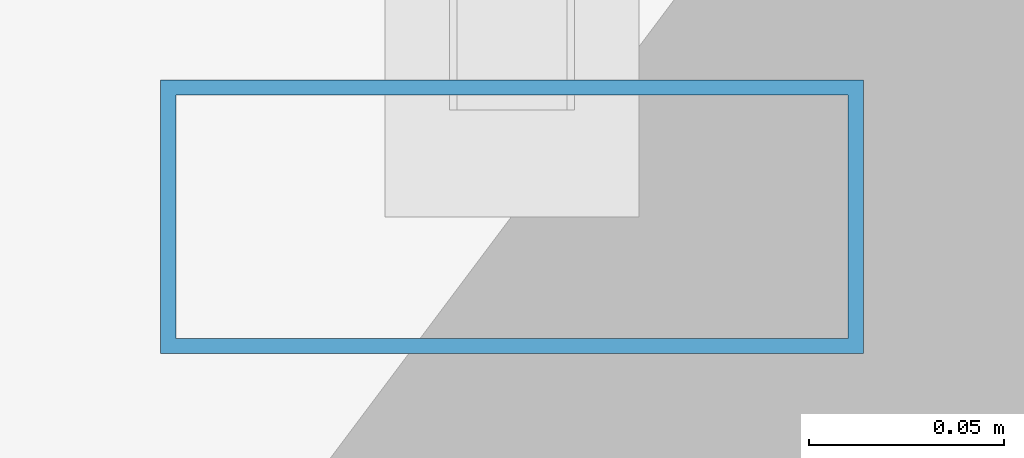
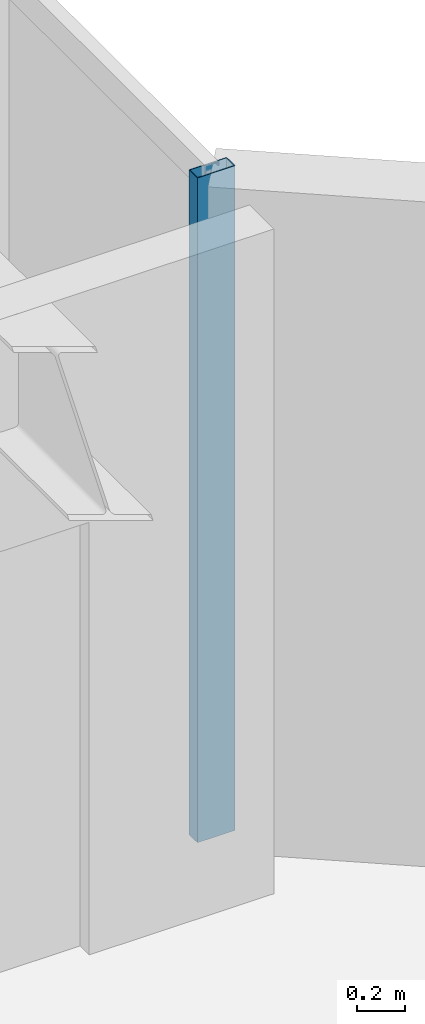
# One storey, part 10 of 26: 1 member, 1 element without a shape of its own.
"""IFC4 building model written with IfcOpenShell, lengths in metres."""

from ifc_helpers import new_model, si_unit, direction, frame, origin, origin_2d, place, context, subcontext, project, spatial, hollow_rectangle, extrude, material, layer, layer_set, material_profile, profile_set, type_object, element, aggregate, save


model = new_model("IFC4")

# Units and contexts
model_context = context("Model", 3, precision=1e-05, world=origin(), true_north=direction((0.0, 1.0)))
body_context = subcontext(model_context, "Body", "Model", "MODEL_VIEW")
ifc_project = project(units=[si_unit("LENGTHUNIT", "METRE"), si_unit("AREAUNIT", "SQUARE_METRE"), si_unit("VOLUMEUNIT", "CUBIC_METRE"), si_unit("PLANEANGLEUNIT", "RADIAN"), si_unit("MASSUNIT", "GRAM", prefix="KILO")], contexts=[model_context])

# Site, building, storey
site_placement = place(None, origin())
site = spatial("IfcSite", under=ifc_project, at=site_placement, CompositionType="ELEMENT")
building_placement = place(site_placement, origin())
building = spatial("IfcBuilding", under=site, at=building_placement, Name="Hatsunagi Terrace Concourse", CompositionType="ELEMENT")
storey_placement = place(building_placement, frame((0.0, 0.0, 227.550048828125)))
storey = spatial("IfcBuildingStorey", under=building, at=storey_placement, Name="L60", CompositionType="ELEMENT", Elevation=227.550048828125)

# Curtain wall, member
ifc_material_1 = material(Name="Anodised Aluminium Alloy 6063-T5", Category="aluminium")
ifc_layer = layer(ifc_material_1, 0.199951171875)
ifc_layer_set = layer_set([ifc_layer], Name="OfficeZone2_CW04")
curtain_wall_type = type_object("IfcCurtainWallType", Name="OfficeZone2_CW04", PredefinedType="NOTDEFINED", material=ifc_layer_set)
curtain_wall_placement = place(storey_placement, origin())
curtain_wall = element("IfcCurtainWall", 1, at=curtain_wall_placement, inside=storey, type_object=curtain_wall_type, Name="Unitised Curtain Wall CW-04 CW-L60-12", PredefinedType="NOTDEFINED")
ifc_material_2 = material(Name="Anodised Aluminium Alloy 6063-T5", Category="aluminium")
ifc_material_profile = material_profile(ifc_material_2, hollow_rectangle(XDim=0.070068359375, YDim=0.179931640625, WallThickness=0.00390625, at=origin_2d()), Name="ALU-MUL-180x70x4")
ifc_profile_set = profile_set([ifc_material_profile], Name="Anodised Aluminium Alloy 6063-T5")
member_type = type_object("IfcMemberType", Name="CurtainWallMullion_180x70", PredefinedType="MULLION", material=ifc_profile_set)
member_placement = place(storey_placement, frame((44.860107421875, 40.72998046875, 0.0), z_axis=(0.0, 0.0, 1.0), x_axis=(0.0, -1.0, 0.0)))
member = element("IfcMember", 2, at=member_placement, type_object=member_type, Name="Curtain Wall Mullion MUL-02", PredefinedType="MULLION", context=body_context, shape_type="SweptSolid", body=[
    extrude(hollow_rectangle(XDim=0.070068359375, YDim=0.179931640625, WallThickness=0.00390625, at=origin_2d()), origin(), (0.0, 0.0, 1.0), 3.349853515625),
])
aggregate(curtain_wall, [member])

save(model, "model.ifc")
